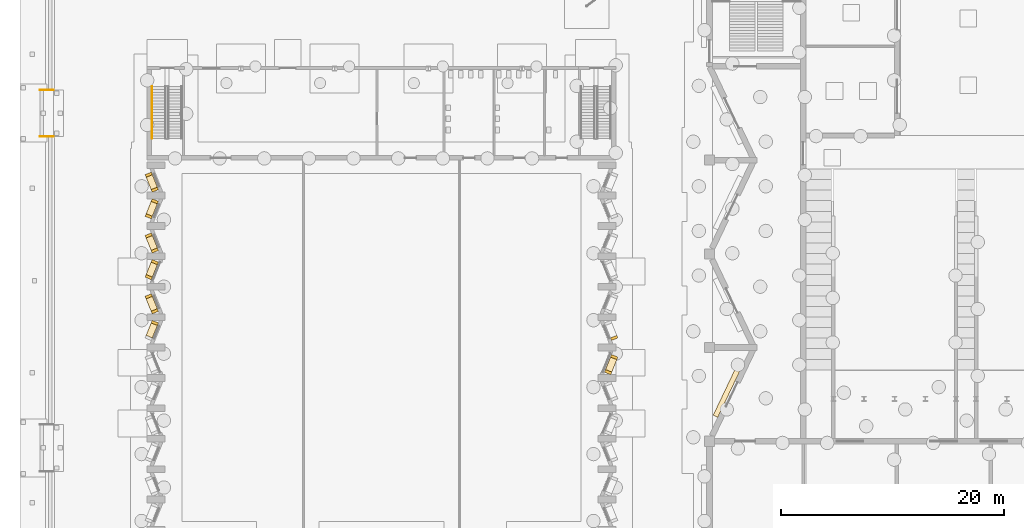
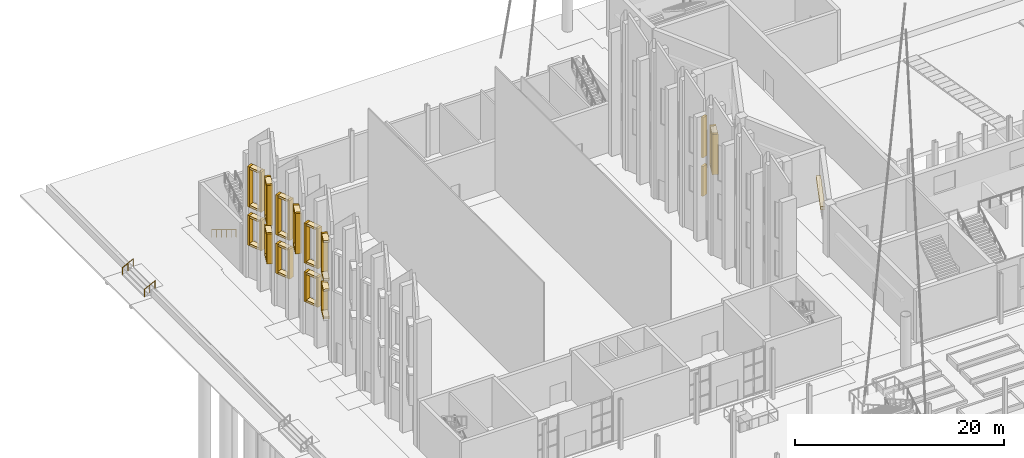
# One storey, part 95 of 108: 49 coverings, 3 railings.
"""IFC4 building model written with IfcOpenShell, lengths in metres."""

import ifcopenshell
import ifcopenshell.guid

model = None  # the IFC model being written
_history = None  # IfcOwnerHistory: only IFC2X3 demands one
_inside = {}  # id of a spatial element -> (the spatial element, [elements in it])
_under = {}  # id of a project, library or spatial element -> (it, [spatial elements below it])
_declared = {}  # id of a project -> (the project, [libraries it declares])
_typed = {}  # id of a type object -> (the type object, [elements of that type])
_made_of = {}  # id of a material, layer set ... -> (it, [elements and type objects made of it])


def new_model(schema):
    """Start an empty IFC model of exactly this schema.

    Asked for "IFC4X3", IfcOpenShell would pick the latest addendum, in which some entities
    have other attributes; the version numbers below select the first issue.
    IFC2X3 requires an IfcOwnerHistory on every rooted entity: one is made here for all.
    """
    global model, _history
    if schema == "IFC4X3":
        model = ifcopenshell.file(schema_version=(4, 3, 0, 0))
    else:
        model = ifcopenshell.file(schema=schema)
    _inside.clear()
    _under.clear()
    _declared.clear()
    _typed.clear()
    _made_of.clear()
    _history = None
    if model.schema == "IFC2X3":
        org = make("IfcOrganization", Name="unknown")
        user = make(
            "IfcPersonAndOrganization",
            ThePerson=make("IfcPerson", FamilyName="unknown"),
            TheOrganization=org,
        )
        app = make(
            "IfcApplication",
            ApplicationDeveloper=org,
            Version="unknown",
            ApplicationFullName="unknown",
            ApplicationIdentifier="unknown",
        )
        _history = make(
            "IfcOwnerHistory",
            OwningUser=user,
            OwningApplication=app,
            ChangeAction="ADDED",
            CreationDate=0,
        )
    return model


def make(cls, **values):
    """One entity of the class cls with the attributes given. An attribute that is None is left unset."""
    return model.create_entity(
        cls, **{name: value for name, value in values.items() if value is not None}
    )


def rooted(cls, **values):
    """An entity with a GlobalId (a new one), such as an element, a storey or a relation."""
    return make(cls, GlobalId=ifcopenshell.guid.new(), OwnerHistory=_history, **values)


def si_unit(unit_type, name, prefix=None):
    """IfcSIUnit, for example si_unit("LENGTHUNIT", "METRE", prefix="MILLI")."""
    return make("IfcSIUnit", UnitType=unit_type, Prefix=prefix, Name=name)


def assignment(units):
    """IfcUnitAssignment: the units of a project."""
    return None if units is None else make("IfcUnitAssignment", Units=units)


def point(xyz):
    """IfcCartesianPoint."""
    return None if xyz is None else make("IfcCartesianPoint", Coordinates=xyz)


def direction(xyz):
    """IfcDirection."""
    return None if xyz is None else make("IfcDirection", DirectionRatios=xyz)


def frame(location, z_axis=None, x_axis=None):
    """IfcAxis2Placement3D, a coordinate frame: its origin and axes. An axis left out is left unset."""
    return make(
        "IfcAxis2Placement3D",
        Location=point(location),
        Axis=direction(z_axis),
        RefDirection=direction(x_axis),
    )


def frame_2d(location, x_axis=None):
    """IfcAxis2Placement2D, a coordinate frame in the plane: its origin and x axis."""
    return make(
        "IfcAxis2Placement2D", Location=point(location), RefDirection=direction(x_axis)
    )


def origin():
    """The frame at (0, 0, 0) with its axes left unset."""
    return frame((0.0, 0.0, 0.0))


def origin_2d():
    """The frame at (0, 0) in the plane with its x axis left unset."""
    return frame_2d((0.0, 0.0))


def place(relative_to, where):
    """IfcLocalPlacement: puts the frame where relative to a parent placement (None: the world)."""
    return make(
        "IfcLocalPlacement", PlacementRelTo=relative_to, RelativePlacement=where
    )


def context(
    kind, dimensions, precision=None, world=None, true_north=None, identifier=None
):
    """IfcGeometricRepresentationContext, for example the 3D "Model" context."""
    return make(
        "IfcGeometricRepresentationContext",
        ContextIdentifier=identifier,
        ContextType=kind,
        CoordinateSpaceDimension=dimensions,
        Precision=precision,
        WorldCoordinateSystem=world,
        TrueNorth=true_north,
    )


def subcontext(parent, identifier, kind, view, scale=None):
    """IfcGeometricRepresentationSubContext, for example "Body" below "Model"."""
    return make(
        "IfcGeometricRepresentationSubContext",
        ContextIdentifier=identifier,
        ContextType=kind,
        ParentContext=parent,
        TargetScale=scale,
        TargetView=view,
    )


def project(units=None, contexts=None):
    """IfcProject with its units and contexts."""
    return rooted(
        "IfcProject",
        Name="project",
        RepresentationContexts=contexts,
        UnitsInContext=assignment(units),
    )


def spatial(cls, under=None, at=None, **own):
    """A site, building, storey or space (cls), placed at a placement, below another one or the project."""
    s = rooted(cls, ObjectPlacement=at, **own)
    if under is not None:
        _under.setdefault(under.id(), (under, []))[1].append(s)
    return s


def profile(cls, at=None, kind="AREA", **sizes):
    """A parametric profile (cls). Its sizes go by their IFC names, for example OverallWidth=200.0."""
    return make(cls, ProfileType=kind, Position=at, **sizes)


def rectangle(**sizes):
    """IfcRectangleProfileDef."""
    return profile("IfcRectangleProfileDef", **sizes)


def circle(**sizes):
    """IfcCircleProfileDef."""
    return profile("IfcCircleProfileDef", **sizes)


def extrude(swept, where, along, depth):
    """IfcExtrudedAreaSolid: the profile swept, set in the frame where, extruded along a direction by depth."""
    return make(
        "IfcExtrudedAreaSolid",
        SweptArea=swept,
        Position=where,
        ExtrudedDirection=direction(along),
        Depth=depth,
    )


def shape(context_of_items, identifier, shape_type, items):
    """IfcShapeRepresentation: the items that make up one representation, for example the "Body"."""
    return make(
        "IfcShapeRepresentation",
        ContextOfItems=context_of_items,
        RepresentationIdentifier=identifier,
        RepresentationType=shape_type,
        Items=items,
    )


def material(Name=None, Category=None):
    """IfcMaterial."""
    return make("IfcMaterial", Name=Name, Category=Category)


def made_of(thing, what):
    """Note that an element or type object is made of a material, layer set ...; save() writes the relation."""
    if what is not None:
        _made_of.setdefault(what.id(), (what, []))[1].append(thing)
    return thing


def type_object(cls, material=None, **own):
    """A type object (cls), such as IfcWallType, which elements share."""
    return made_of(rooted(cls, **own), material)


def element(
    cls,
    number,
    at=None,
    inside=None,
    cuts=None,
    type_object=None,
    material=None,
    context=None,
    identifier="Body",
    shape_type=None,
    held_by="IfcProductDefinitionShape",
    body=None,
    shapes=None,
    **own,
):
    """One element of the class cls, such as IfcWall. Its Tag is "e" and its number.

    at: its placement. inside: the storey or other place that contains it. cuts: it is an
    opening in that element (IfcRelVoidsElement). A single representation is given by context,
    identifier, shape_type and body (its items); several are given by shapes. held_by: the class
    of the entity that holds the representations. save() writes the other relations.
    """
    e = rooted(cls, Tag="e%d" % number, ObjectPlacement=at, **own)
    if body is not None:
        shapes = [shape(context, identifier, shape_type, body)]
    if shapes is not None:
        e.Representation = make(held_by, Representations=shapes)
    if inside is not None:
        _inside.setdefault(inside.id(), (inside, []))[1].append(e)
    if cuts is not None:
        rooted(
            "IfcRelVoidsElement", RelatingBuildingElement=cuts, RelatedOpeningElement=e
        )
    if type_object is not None:
        _typed.setdefault(type_object.id(), (type_object, []))[1].append(e)
    return made_of(e, material)


def aggregate(whole, parts):
    """IfcRelAggregates: a whole, such as a stair, and the parts it consists of."""
    return rooted("IfcRelAggregates", RelatingObject=whole, RelatedObjects=parts)


def save(model, path):
    """Write the relations noted so far, then the file.

    IfcRelAggregates (storeys below a building ...), IfcRelContainedInSpatialStructure (elements
    in a storey), IfcRelDefinesByType, IfcRelAssociatesMaterial and IfcRelDeclares: one each for
    every whole, place, type object, material and project.
    """
    for whole, parts in _under.values():
        aggregate(whole, parts)
    for where, things in _inside.values():
        rooted(
            "IfcRelContainedInSpatialStructure",
            RelatedElements=things,
            RelatingStructure=where,
        )
    for kind, things in _typed.values():
        rooted("IfcRelDefinesByType", RelatedObjects=things, RelatingType=kind)
    for what, things in _made_of.values():
        rooted("IfcRelAssociatesMaterial", RelatedObjects=things, RelatingMaterial=what)
    for by, libraries in _declared.values():
        rooted("IfcRelDeclares", RelatingContext=by, RelatedDefinitions=libraries)
    model.write(path)


model = new_model("IFC4")

# Units and contexts
model_context = context("Model", 3, precision=1e-05, world=origin(), true_north=direction((0.0, 1.0)))
body_context = subcontext(model_context, "Body", "Model", "MODEL_VIEW")
ifc_project = project(units=[si_unit("LENGTHUNIT", "METRE"), si_unit("AREAUNIT", "SQUARE_METRE"), si_unit("VOLUMEUNIT", "CUBIC_METRE"), si_unit("PLANEANGLEUNIT", "RADIAN"), si_unit("MASSUNIT", "GRAM", prefix="KILO")], contexts=[model_context])

# Site, building, storey
site_placement = place(None, origin())
site = spatial("IfcSite", under=ifc_project, at=site_placement, CompositionType="ELEMENT")
building_placement = place(site_placement, origin())
building = spatial("IfcBuilding", under=site, at=building_placement, Name="Cresset Court Congress Hotel", CompositionType="ELEMENT")
storey_placement = place(building_placement, origin())
storey = spatial("IfcBuildingStorey", under=building, at=storey_placement, Name="L00", CompositionType="ELEMENT", Elevation=0.0)

# Railings
ifc_material_1 = material(Name="Stainless steel", Category="steel")
railing_type_1 = type_object("IfcRailingType", Name="Handrail 900", PredefinedType="HANDRAIL", material=ifc_material_1)
railing_placement = place(storey_placement, frame((8.85009765625, 107.39990234375, 0.157958984375)))
element("IfcRailing", 1, at=railing_placement, inside=storey, type_object=railing_type_1, Name="L00 ST-D3 stair handrail 1", PredefinedType="HANDRAIL", context=body_context, shape_type="SweptSolid", body=[
    extrude(circle(Radius=0.02392578125, at=origin_2d()), frame((0.0, 0.0, 0.8759765625), z_axis=(0.0, -0.854734527071, 0.519065398802), x_axis=(1.0, 0.0, 0.0)), (0.0, 0.0, 1.0), 5.475341796875),
    extrude(circle(Radius=0.02099609375, at=origin_2d()), origin(), (0.0, 0.0, 1.0), 0.851806640625),
    extrude(circle(Radius=0.02099609375, at=origin_2d()), frame((0.0, -0.93603515625, 0.568359375)), (0.0, 0.0, 1.0), 0.851806640625),
    extrude(circle(Radius=0.02099609375, at=origin_2d()), frame((0.0, -1.8720703125, 1.13671875)), (0.0, 0.0, 1.0), 0.851806640625),
    extrude(circle(Radius=0.02099609375, at=origin_2d()), frame((0.0, -2.807861328125, 1.705322265625)), (0.0, 0.0, 1.0), 0.851806640625),
    extrude(circle(Radius=0.02099609375, at=origin_2d()), frame((0.0, -3.743896484375, 2.273681640625)), (0.0, 0.0, 1.0), 0.851806640625),
    extrude(circle(Radius=0.02099609375, at=origin_2d()), frame((0.0, -4.679931640625, 2.842041015625)), (0.0, 0.0, 1.0), 0.851806640625),
])
ifc_material_2 = material(Name="Stainless steel", Category="steel")
railing_type_2 = type_object("IfcRailingType", Name="Handrail 900 steel", PredefinedType="HANDRAIL", material=ifc_material_2)
for number, where, name in (
    (2, (-1.199951171875, 107.10009765625, -0.60009765625), "Handrail W02L"),
    (3, (-1.199951171875, 102.89990234375, -0.60009765625), "Handrail W02R"),
):
    element("IfcRailing", number, at=place(storey_placement, frame(where)), inside=storey, type_object=railing_type_2, Name=name, PredefinedType="HANDRAIL", context=body_context, shape_type="SweptSolid", body=[
        extrude(circle(Radius=0.02490234375, at=origin_2d()), frame((0.0, 0.0, 0.875), z_axis=(0.894390793703, 0.0, 0.44728638269), x_axis=(0.0, 1.0, 0.0)), (0.0, 0.0, 1.0), 1.341552734375),
        extrude(circle(Radius=0.02001953125, at=origin_2d()), origin(), (0.0, 0.0, 1.0), 0.849853515625),
        extrude(circle(Radius=0.02001953125, at=origin_2d()), frame((0.60009765625, 0.0, 0.300048828125)), (0.0, 0.0, 1.0), 0.849853515625),
        extrude(circle(Radius=0.02001953125, at=origin_2d()), frame((1.199951171875, 0.0, 0.60009765625)), (0.0, 0.0, 1.0), 0.849853515625),
    ])

# Coverings
ifc_material_3 = material(Name="Precast concrete C50", Category="concrete")
covering_type_1 = type_object("IfcCoveringType", Name="Precast reveal band 450x400", PredefinedType="CLADDING", material=ifc_material_3)
covering_1_placement = place(storey_placement, frame((60.45751953125, 80.185546875, 3.550048828125), z_axis=(0.0, 0.0, 1.0), x_axis=(0.429932870312, 0.902860856957, 0.0)))
element("IfcCovering", 4, at=covering_1_placement, inside=storey, type_object=covering_type_1, Name="Reveal band W.L00.03a.1", PredefinedType="CLADDING", context=body_context, shape_type="SweptSolid", body=[
    extrude(rectangle(XDim=5.19775390625, YDim=0.449951171875, at=origin_2d()), origin(), (0.0, 0.0, 1.0), 0.39990234375),
])
ifc_material_4 = material(Name="Precast concrete C50", Category="concrete")
covering_type_2 = type_object("IfcCoveringType", Name="Precast reveal frame member 250x600", PredefinedType="CLADDING", material=ifc_material_4)
covering_2_placement = place(storey_placement, frame((9.083740234375, 86.203369140625, 4.25), z_axis=(0.0, 0.0, 1.0), x_axis=(0.37462277577, 0.927177316307, 0.0)))
element("IfcCovering", 5, at=covering_2_placement, inside=storey, type_object=covering_type_2, Name="Reveal frame win.L00.12b", PredefinedType="CLADDING", context=body_context, shape_type="SweptSolid", body=[
    extrude(rectangle(XDim=0.25, YDim=0.60009765625, at=origin_2d()), origin(), (0.0, 0.0, 1.0), 3.5),
])
for number, where, z_axis, x_axis, name in (
    (6, (8.81201171875, 85.531005859375, 7.5), (0.0, 0.0, 1.0), (0.37462277577, 0.927177316307, 0.0), "Reveal frame win.L00.12c"),
    (7, (8.81201171875, 85.531005859375, 4.25), (0.0, 0.0, 1.0), (0.37462277577, 0.927177316307, 0.0), "Reveal frame win.L00.12d"),
):
    element("IfcCovering", number, at=place(storey_placement, frame(where, z_axis=z_axis, x_axis=x_axis)), inside=storey, type_object=covering_type_2, Name=name, PredefinedType="CLADDING", context=body_context, shape_type="SweptSolid", body=[
        extrude(rectangle(XDim=1.199951171875, YDim=0.60009765625, at=origin_2d()), origin(), (0.0, 0.0, 1.0), 0.25),
    ])
covering_3_placement = place(storey_placement, frame((9.083740234375, 86.203369140625, 8.75), z_axis=(0.0, 0.0, 1.0), x_axis=(0.37462277577, 0.927177316307, 0.0)))
element("IfcCovering", 8, at=covering_3_placement, inside=storey, type_object=covering_type_2, Name="Reveal frame win.L00.13b", PredefinedType="CLADDING", context=body_context, shape_type="SweptSolid", body=[
    extrude(rectangle(XDim=0.25, YDim=0.60009765625, at=origin_2d()), origin(), (0.0, 0.0, 1.0), 4.699951171875),
])
for number, where, z_axis, x_axis, name in (
    (9, (8.81201171875, 85.531005859375, 13.199951171875), (0.0, 0.0, 1.0), (0.37462277577, 0.927177316307, 0.0), "Reveal frame win.L00.13c"),
    (10, (8.81201171875, 85.531005859375, 8.75), (0.0, 0.0, 1.0), (0.37462277577, 0.927177316307, 0.0), "Reveal frame win.L00.13d"),
):
    element("IfcCovering", number, at=place(storey_placement, frame(where, z_axis=z_axis, x_axis=x_axis)), inside=storey, type_object=covering_type_2, Name=name, PredefinedType="CLADDING", context=body_context, shape_type="SweptSolid", body=[
        extrude(rectangle(XDim=1.199951171875, YDim=0.60009765625, at=origin_2d()), origin(), (0.0, 0.0, 1.0), 0.25),
    ])
for number, where, z_axis, x_axis, name in (
    (11, (9.083740234375, 87.246826171875, 4.25), (0.0, 0.0, 1.0), (-0.37462277577, 0.927177316307, 0.0), "Reveal frame win.L00.14a"),
    (12, (8.54052734375, 88.59130859375, 4.25), (0.0, 0.0, 1.0), (-0.37462277577, 0.927177316307, 0.0), "Reveal frame win.L00.14b"),
):
    element("IfcCovering", number, at=place(storey_placement, frame(where, z_axis=z_axis, x_axis=x_axis)), inside=storey, type_object=covering_type_2, Name=name, PredefinedType="CLADDING", context=body_context, shape_type="SweptSolid", body=[
        extrude(rectangle(XDim=0.25, YDim=0.60009765625, at=origin_2d()), origin(), (0.0, 0.0, 1.0), 3.5),
    ])
for number, where, z_axis, x_axis, name in (
    (13, (8.81201171875, 87.9189453125, 7.5), (0.0, 0.0, 1.0), (-0.37462277577, 0.927177316307, 0.0), "Reveal frame win.L00.14c"),
    (14, (8.81201171875, 87.9189453125, 4.25), (0.0, 0.0, 1.0), (-0.37462277577, 0.927177316307, 0.0), "Reveal frame win.L00.14d"),
):
    element("IfcCovering", number, at=place(storey_placement, frame(where, z_axis=z_axis, x_axis=x_axis)), inside=storey, type_object=covering_type_2, Name=name, PredefinedType="CLADDING", context=body_context, shape_type="SweptSolid", body=[
        extrude(rectangle(XDim=1.199951171875, YDim=0.60009765625, at=origin_2d()), origin(), (0.0, 0.0, 1.0), 0.25),
    ])
for number, where, z_axis, x_axis, name in (
    (15, (9.083740234375, 87.246826171875, 8.75), (0.0, 0.0, 1.0), (-0.37462277577, 0.927177316307, 0.0), "Reveal frame win.L00.15a"),
    (16, (8.54052734375, 88.59130859375, 8.75), (0.0, 0.0, 1.0), (-0.37462277577, 0.927177316307, 0.0), "Reveal frame win.L00.15b"),
):
    element("IfcCovering", number, at=place(storey_placement, frame(where, z_axis=z_axis, x_axis=x_axis)), inside=storey, type_object=covering_type_2, Name=name, PredefinedType="CLADDING", context=body_context, shape_type="SweptSolid", body=[
        extrude(rectangle(XDim=0.25, YDim=0.60009765625, at=origin_2d()), origin(), (0.0, 0.0, 1.0), 4.699951171875),
    ])
for number, where, z_axis, x_axis, name in (
    (17, (8.81201171875, 87.9189453125, 13.199951171875), (0.0, 0.0, 1.0), (-0.37462277577, 0.927177316307, 0.0), "Reveal frame win.L00.15c"),
    (18, (8.81201171875, 87.9189453125, 8.75), (0.0, 0.0, 1.0), (-0.37462277577, 0.927177316307, 0.0), "Reveal frame win.L00.15d"),
):
    element("IfcCovering", number, at=place(storey_placement, frame(where, z_axis=z_axis, x_axis=x_axis)), inside=storey, type_object=covering_type_2, Name=name, PredefinedType="CLADDING", context=body_context, shape_type="SweptSolid", body=[
        extrude(rectangle(XDim=1.199951171875, YDim=0.60009765625, at=origin_2d()), origin(), (0.0, 0.0, 1.0), 0.25),
    ])
for number, where, z_axis, x_axis, name in (
    (19, (8.54052734375, 90.308837890625, 8.75), (0.0, 0.0, 1.0), (0.37462277577, 0.927177316307, 0.0), "Reveal frame win.L00.16a"),
    (20, (9.083740234375, 91.6533203125, 8.75), (0.0, 0.0, 1.0), (0.37462277577, 0.927177316307, 0.0), "Reveal frame win.L00.16b"),
):
    element("IfcCovering", number, at=place(storey_placement, frame(where, z_axis=z_axis, x_axis=x_axis)), inside=storey, type_object=covering_type_2, Name=name, PredefinedType="CLADDING", context=body_context, shape_type="SweptSolid", body=[
        extrude(rectangle(XDim=0.25, YDim=0.60009765625, at=origin_2d()), origin(), (0.0, 0.0, 1.0), 4.699951171875),
    ])
for number, where, z_axis, x_axis, name in (
    (21, (8.81201171875, 90.981201171875, 13.199951171875), (0.0, 0.0, 1.0), (0.37462277577, 0.927177316307, 0.0), "Reveal frame win.L00.16c"),
    (22, (8.81201171875, 90.981201171875, 8.75), (0.0, 0.0, 1.0), (0.37462277577, 0.927177316307, 0.0), "Reveal frame win.L00.16d"),
):
    element("IfcCovering", number, at=place(storey_placement, frame(where, z_axis=z_axis, x_axis=x_axis)), inside=storey, type_object=covering_type_2, Name=name, PredefinedType="CLADDING", context=body_context, shape_type="SweptSolid", body=[
        extrude(rectangle(XDim=1.199951171875, YDim=0.60009765625, at=origin_2d()), origin(), (0.0, 0.0, 1.0), 0.25),
    ])
for number, where, z_axis, x_axis, name in (
    (23, (9.083740234375, 92.69677734375, 4.25), (0.0, 0.0, 1.0), (-0.37462277577, 0.927177316307, 0.0), "Reveal frame win.L00.17a"),
    (24, (8.54052734375, 94.041259765625, 4.25), (0.0, 0.0, 1.0), (-0.37462277577, 0.927177316307, 0.0), "Reveal frame win.L00.17b"),
):
    element("IfcCovering", number, at=place(storey_placement, frame(where, z_axis=z_axis, x_axis=x_axis)), inside=storey, type_object=covering_type_2, Name=name, PredefinedType="CLADDING", context=body_context, shape_type="SweptSolid", body=[
        extrude(rectangle(XDim=0.25, YDim=0.60009765625, at=origin_2d()), origin(), (0.0, 0.0, 1.0), 3.5),
    ])
for number, where, z_axis, x_axis, name in (
    (25, (8.81201171875, 93.368896484375, 7.5), (0.0, 0.0, 1.0), (-0.37462277577, 0.927177316307, 0.0), "Reveal frame win.L00.17c"),
    (26, (8.81201171875, 93.368896484375, 4.25), (0.0, 0.0, 1.0), (-0.37462277577, 0.927177316307, 0.0), "Reveal frame win.L00.17d"),
):
    element("IfcCovering", number, at=place(storey_placement, frame(where, z_axis=z_axis, x_axis=x_axis)), inside=storey, type_object=covering_type_2, Name=name, PredefinedType="CLADDING", context=body_context, shape_type="SweptSolid", body=[
        extrude(rectangle(XDim=1.199951171875, YDim=0.60009765625, at=origin_2d()), origin(), (0.0, 0.0, 1.0), 0.25),
    ])
for number, where, z_axis, x_axis, name in (
    (27, (9.083740234375, 92.69677734375, 8.75), (0.0, 0.0, 1.0), (-0.37462277577, 0.927177316307, 0.0), "Reveal frame win.L00.18a"),
    (28, (8.54052734375, 94.041259765625, 8.75), (0.0, 0.0, 1.0), (-0.37462277577, 0.927177316307, 0.0), "Reveal frame win.L00.18b"),
):
    element("IfcCovering", number, at=place(storey_placement, frame(where, z_axis=z_axis, x_axis=x_axis)), inside=storey, type_object=covering_type_2, Name=name, PredefinedType="CLADDING", context=body_context, shape_type="SweptSolid", body=[
        extrude(rectangle(XDim=0.25, YDim=0.60009765625, at=origin_2d()), origin(), (0.0, 0.0, 1.0), 4.699951171875),
    ])
for number, where, z_axis, x_axis, name in (
    (29, (8.81201171875, 93.368896484375, 13.199951171875), (0.0, 0.0, 1.0), (-0.37462277577, 0.927177316307, 0.0), "Reveal frame win.L00.18c"),
    (30, (8.81201171875, 93.368896484375, 8.75), (0.0, 0.0, 1.0), (-0.37462277577, 0.927177316307, 0.0), "Reveal frame win.L00.18d"),
):
    element("IfcCovering", number, at=place(storey_placement, frame(where, z_axis=z_axis, x_axis=x_axis)), inside=storey, type_object=covering_type_2, Name=name, PredefinedType="CLADDING", context=body_context, shape_type="SweptSolid", body=[
        extrude(rectangle(XDim=1.199951171875, YDim=0.60009765625, at=origin_2d()), origin(), (0.0, 0.0, 1.0), 0.25),
    ])
for number, where, z_axis, x_axis, name in (
    (31, (8.54052734375, 95.7587890625, 4.25), (0.0, 0.0, 1.0), (0.37462277577, 0.927177316307, 0.0), "Reveal frame win.L00.19a"),
    (32, (9.083740234375, 97.103271484375, 4.25), (0.0, 0.0, 1.0), (0.37462277577, 0.927177316307, 0.0), "Reveal frame win.L00.19b"),
):
    element("IfcCovering", number, at=place(storey_placement, frame(where, z_axis=z_axis, x_axis=x_axis)), inside=storey, type_object=covering_type_2, Name=name, PredefinedType="CLADDING", context=body_context, shape_type="SweptSolid", body=[
        extrude(rectangle(XDim=0.25, YDim=0.60009765625, at=origin_2d()), origin(), (0.0, 0.0, 1.0), 3.5),
    ])
for number, where, z_axis, x_axis, name in (
    (33, (8.81201171875, 96.43115234375, 7.5), (0.0, 0.0, 1.0), (0.37462277577, 0.927177316307, 0.0), "Reveal frame win.L00.19c"),
    (34, (8.81201171875, 96.43115234375, 4.25), (0.0, 0.0, 1.0), (0.37462277577, 0.927177316307, 0.0), "Reveal frame win.L00.19d"),
):
    element("IfcCovering", number, at=place(storey_placement, frame(where, z_axis=z_axis, x_axis=x_axis)), inside=storey, type_object=covering_type_2, Name=name, PredefinedType="CLADDING", context=body_context, shape_type="SweptSolid", body=[
        extrude(rectangle(XDim=1.199951171875, YDim=0.60009765625, at=origin_2d()), origin(), (0.0, 0.0, 1.0), 0.25),
    ])
for number, where, z_axis, x_axis, name in (
    (35, (8.54052734375, 95.7587890625, 8.75), (0.0, 0.0, 1.0), (0.37462277577, 0.927177316307, 0.0), "Reveal frame win.L00.20a"),
    (36, (9.083740234375, 97.103271484375, 8.75), (0.0, 0.0, 1.0), (0.37462277577, 0.927177316307, 0.0), "Reveal frame win.L00.20b"),
):
    element("IfcCovering", number, at=place(storey_placement, frame(where, z_axis=z_axis, x_axis=x_axis)), inside=storey, type_object=covering_type_2, Name=name, PredefinedType="CLADDING", context=body_context, shape_type="SweptSolid", body=[
        extrude(rectangle(XDim=0.25, YDim=0.60009765625, at=origin_2d()), origin(), (0.0, 0.0, 1.0), 4.699951171875),
    ])
for number, where, z_axis, x_axis, name in (
    (37, (8.81201171875, 96.43115234375, 13.199951171875), (0.0, 0.0, 1.0), (0.37462277577, 0.927177316307, 0.0), "Reveal frame win.L00.20c"),
    (38, (8.81201171875, 96.43115234375, 8.75), (0.0, 0.0, 1.0), (0.37462277577, 0.927177316307, 0.0), "Reveal frame win.L00.20d"),
):
    element("IfcCovering", number, at=place(storey_placement, frame(where, z_axis=z_axis, x_axis=x_axis)), inside=storey, type_object=covering_type_2, Name=name, PredefinedType="CLADDING", context=body_context, shape_type="SweptSolid", body=[
        extrude(rectangle(XDim=1.199951171875, YDim=0.60009765625, at=origin_2d()), origin(), (0.0, 0.0, 1.0), 0.25),
    ])
for number, where, z_axis, x_axis, name in (
    (39, (9.083740234375, 98.146728515625, 4.25), (0.0, 0.0, 1.0), (-0.37462277577, 0.927177316307, 0.0), "Reveal frame win.L00.21a"),
    (40, (8.54052734375, 99.4912109375, 4.25), (0.0, 0.0, 1.0), (-0.37462277577, 0.927177316307, 0.0), "Reveal frame win.L00.21b"),
):
    element("IfcCovering", number, at=place(storey_placement, frame(where, z_axis=z_axis, x_axis=x_axis)), inside=storey, type_object=covering_type_2, Name=name, PredefinedType="CLADDING", context=body_context, shape_type="SweptSolid", body=[
        extrude(rectangle(XDim=0.25, YDim=0.60009765625, at=origin_2d()), origin(), (0.0, 0.0, 1.0), 3.5),
    ])
for number, where, z_axis, x_axis, name in (
    (41, (8.81201171875, 98.819091796875, 7.5), (0.0, 0.0, 1.0), (-0.37462277577, 0.927177316307, 0.0), "Reveal frame win.L00.21c"),
    (42, (8.81201171875, 98.819091796875, 4.25), (0.0, 0.0, 1.0), (-0.37462277577, 0.927177316307, 0.0), "Reveal frame win.L00.21d"),
):
    element("IfcCovering", number, at=place(storey_placement, frame(where, z_axis=z_axis, x_axis=x_axis)), inside=storey, type_object=covering_type_2, Name=name, PredefinedType="CLADDING", context=body_context, shape_type="SweptSolid", body=[
        extrude(rectangle(XDim=1.199951171875, YDim=0.60009765625, at=origin_2d()), origin(), (0.0, 0.0, 1.0), 0.25),
    ])
for number, where, z_axis, x_axis, name in (
    (43, (9.083740234375, 98.146728515625, 8.75), (0.0, 0.0, 1.0), (-0.37462277577, 0.927177316307, 0.0), "Reveal frame win.L00.22a"),
    (44, (8.54052734375, 99.4912109375, 8.75), (0.0, 0.0, 1.0), (-0.37462277577, 0.927177316307, 0.0), "Reveal frame win.L00.22b"),
):
    element("IfcCovering", number, at=place(storey_placement, frame(where, z_axis=z_axis, x_axis=x_axis)), inside=storey, type_object=covering_type_2, Name=name, PredefinedType="CLADDING", context=body_context, shape_type="SweptSolid", body=[
        extrude(rectangle(XDim=0.25, YDim=0.60009765625, at=origin_2d()), origin(), (0.0, 0.0, 1.0), 4.699951171875),
    ])
for number, where, z_axis, x_axis, name in (
    (45, (8.81201171875, 98.819091796875, 13.199951171875), (0.0, 0.0, 1.0), (-0.37462277577, 0.927177316307, 0.0), "Reveal frame win.L00.22c"),
    (46, (8.81201171875, 98.819091796875, 8.75), (0.0, 0.0, 1.0), (-0.37462277577, 0.927177316307, 0.0), "Reveal frame win.L00.22d"),
):
    element("IfcCovering", number, at=place(storey_placement, frame(where, z_axis=z_axis, x_axis=x_axis)), inside=storey, type_object=covering_type_2, Name=name, PredefinedType="CLADDING", context=body_context, shape_type="SweptSolid", body=[
        extrude(rectangle(XDim=1.199951171875, YDim=0.60009765625, at=origin_2d()), origin(), (0.0, 0.0, 1.0), 0.25),
    ])
for number, where, z_axis, x_axis, name in (
    (47, (49.71630859375, 81.796875, 8.75), (0.0, 0.0, 1.0), (0.37462277577, 0.927177316307, 0.0), "Reveal frame win.L00.32a"),
    (48, (50.259521484375, 83.14111328125, 8.75), (0.0, 0.0, 1.0), (0.37462277577, 0.927177316307, 0.0), "Reveal frame win.L00.32b"),
):
    element("IfcCovering", number, at=place(storey_placement, frame(where, z_axis=z_axis, x_axis=x_axis)), inside=storey, type_object=covering_type_2, Name=name, PredefinedType="CLADDING", context=body_context, shape_type="SweptSolid", body=[
        extrude(rectangle(XDim=0.25, YDim=0.60009765625, at=origin_2d()), origin(), (0.0, 0.0, 1.0), 4.699951171875),
    ])
for number, where, z_axis, x_axis, name in (
    (49, (49.98779296875, 82.468994140625, 13.199951171875), (0.0, 0.0, 1.0), (0.37462277577, 0.927177316307, 0.0), "Reveal frame win.L00.32c"),
    (50, (49.98779296875, 82.468994140625, 8.75), (0.0, 0.0, 1.0), (0.37462277577, 0.927177316307, 0.0), "Reveal frame win.L00.32d"),
):
    element("IfcCovering", number, at=place(storey_placement, frame(where, z_axis=z_axis, x_axis=x_axis)), inside=storey, type_object=covering_type_2, Name=name, PredefinedType="CLADDING", context=body_context, shape_type="SweptSolid", body=[
        extrude(rectangle(XDim=1.199951171875, YDim=0.60009765625, at=origin_2d()), origin(), (0.0, 0.0, 1.0), 0.25),
    ])
covering_4_placement = place(storey_placement, frame((50.259521484375, 84.85888671875, 4.25), z_axis=(0.0, 0.0, 1.0), x_axis=(-0.37462277577, 0.927177316307, 0.0)))
element("IfcCovering", 51, at=covering_4_placement, inside=storey, type_object=covering_type_2, Name="Reveal frame win.L00.33a", PredefinedType="CLADDING", context=body_context, shape_type="SweptSolid", body=[
    extrude(rectangle(XDim=0.25, YDim=0.60009765625, at=origin_2d()), origin(), (0.0, 0.0, 1.0), 3.5),
])
covering_5_placement = place(storey_placement, frame((50.259521484375, 84.85888671875, 8.75), z_axis=(0.0, 0.0, 1.0), x_axis=(-0.37462277577, 0.927177316307, 0.0)))
element("IfcCovering", 52, at=covering_5_placement, inside=storey, type_object=covering_type_2, Name="Reveal frame win.L00.34a", PredefinedType="CLADDING", context=body_context, shape_type="SweptSolid", body=[
    extrude(rectangle(XDim=0.25, YDim=0.60009765625, at=origin_2d()), origin(), (0.0, 0.0, 1.0), 4.699951171875),
])

save(model, "model.ifc")
